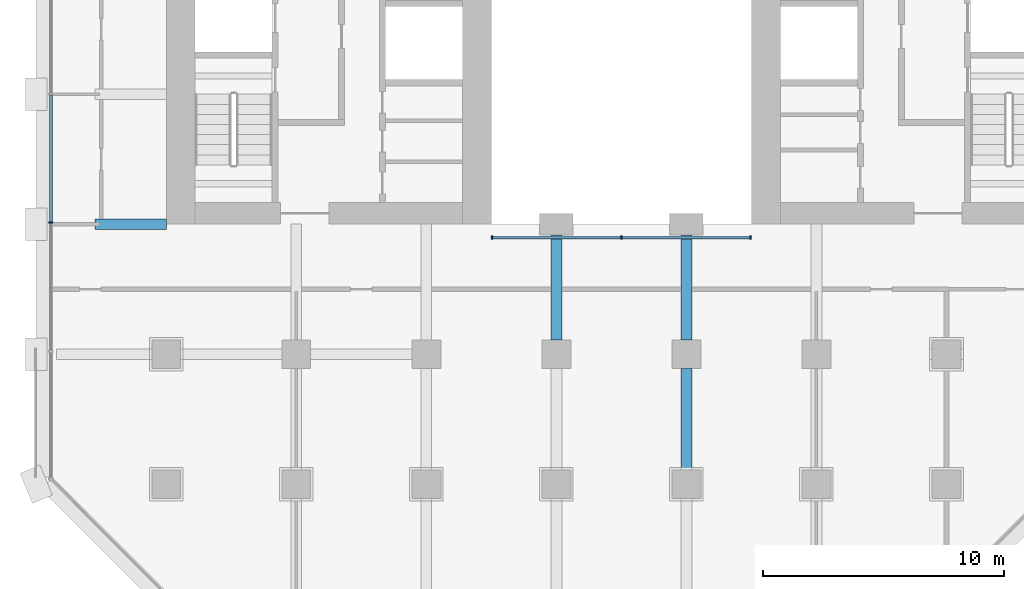
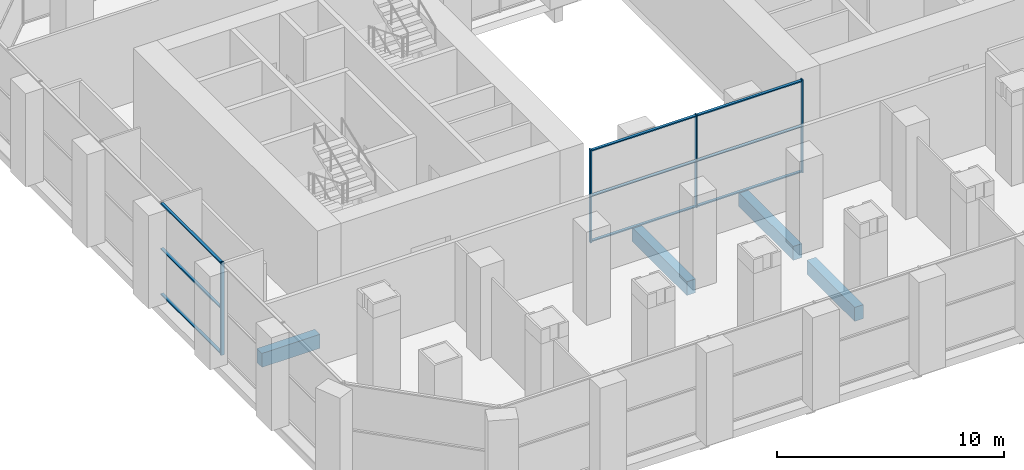
# One storey, part 4 of 27: 13 members, 4 beams, 2 elements without a shape of their own.
"""IFC4 building model written with IfcOpenShell, lengths in metres."""

from ifc_helpers import new_model, si_unit, direction, frame, origin, origin_2d, place, context, subcontext, project, spatial, rectangle, extrude, material, material_profile, profile_set, type_object, element, aggregate, save


model = new_model("IFC4")

# Units and contexts
model_context = context("Model", 3, precision=1e-05, world=origin(), true_north=direction((0.0, 1.0)))
body_context = subcontext(model_context, "Body", "Model", "MODEL_VIEW")
ifc_project = project(units=[si_unit("LENGTHUNIT", "METRE"), si_unit("AREAUNIT", "SQUARE_METRE"), si_unit("VOLUMEUNIT", "CUBIC_METRE"), si_unit("PLANEANGLEUNIT", "RADIAN"), si_unit("MASSUNIT", "GRAM", prefix="KILO")], contexts=[model_context])

# Site, building, storey
site_placement = place(None, origin())
site = spatial("IfcSite", under=ifc_project, at=site_placement, CompositionType="ELEMENT")
building_placement = place(site_placement, origin())
building = spatial("IfcBuilding", under=site, at=building_placement, Name="Tabaq Tower and Sports Hall", CompositionType="ELEMENT")
storey_placement = place(building_placement, frame((0.0, 0.0, 14.39990234375)))
storey = spatial("IfcBuildingStorey", under=building, at=storey_placement, Name="L02", CompositionType="ELEMENT", Elevation=14.39990234375)

# Curtain wall, members
ifc_material_1 = material(Name="Aluminium alloy 6063-T6 framed glazing", Category="aluminium")
curtain_wall_type_1 = type_object("IfcCurtainWallType", Name="CW1 curtain wall", PredefinedType="USERDEFINED", material=ifc_material_1)
curtain_wall_1_placement = place(storey_placement, origin())
curtain_wall_1 = element("IfcCurtainWall", 1, at=curtain_wall_1_placement, inside=storey, type_object=curtain_wall_type_1, Name="Atrium glazing L02 S", ObjectType="ATRIUM ENCLOSURE", PredefinedType="USERDEFINED")
ifc_material_2 = material(Name="Aluminium alloy 6063-T6", Category="aluminium")
ifc_material_profile_1 = material_profile(ifc_material_2, rectangle(XDim=0.159912109375, YDim=0.06005859375, at=origin_2d()), Name="MULLION 160x60")
ifc_profile_set_1 = profile_set([ifc_material_profile_1], Name="Aluminium alloy 6063-T6")
member_type_1 = type_object("IfcMemberType", Name="CW1 mullion 160x60", PredefinedType="MULLION", material=ifc_profile_set_1)
member_1_placement = place(storey_placement, frame((18.929931640625, 15.64990234375, 0.0), z_axis=(0.0, 0.0, 1.0), x_axis=(0.0, 1.0, 0.0)))
member_1 = element("IfcMember", 2, at=member_1_placement, type_object=member_type_1, Name="CW1 mullion 1", PredefinedType="MULLION", context=body_context, shape_type="SweptSolid", body=[
    extrude(rectangle(XDim=0.159912109375, YDim=0.06005859375, at=origin_2d()), origin(), (0.0, 0.0, 1.0), 5.0),
])
member_2_placement = place(storey_placement, frame((24.300048828125, 15.64990234375, 0.0), z_axis=(0.0, 0.0, 1.0), x_axis=(0.0, 1.0, 0.0)))
member_2 = element("IfcMember", 3, at=member_2_placement, type_object=member_type_1, Name="CW1 mullion 2", PredefinedType="MULLION", context=body_context, shape_type="SweptSolid", body=[
    extrude(rectangle(XDim=0.159912109375, YDim=0.06005859375, at=origin_2d()), origin(), (0.0, 0.0, 1.0), 5.0),
])
member_3_placement = place(storey_placement, frame((29.669921875, 15.64990234375, 0.0), z_axis=(0.0, 0.0, 1.0), x_axis=(0.0, 1.0, 0.0)))
member_3 = element("IfcMember", 4, at=member_3_placement, type_object=member_type_1, Name="CW1 mullion 3", PredefinedType="MULLION", context=body_context, shape_type="SweptSolid", body=[
    extrude(rectangle(XDim=0.159912109375, YDim=0.06005859375, at=origin_2d()), origin(), (0.0, 0.0, 1.0), 5.0),
])
ifc_material_3 = material(Name="Aluminium alloy 6063-T6", Category="aluminium")
ifc_material_profile_2 = material_profile(ifc_material_3, rectangle(XDim=0.139892578125, YDim=0.06005859375, at=origin_2d()), Name="TRANSOM 140x60")
ifc_profile_set_2 = profile_set([ifc_material_profile_2], Name="Aluminium alloy 6063-T6")
member_type_2 = type_object("IfcMemberType", Name="CW1 transom 140x60", PredefinedType="USERDEFINED", material=ifc_profile_set_2)
member_4_placement = place(storey_placement, frame((18.9599609375, 15.64990234375, 0.070068359375), z_axis=(1.0, 0.0, 0.0), x_axis=(0.0, 1.0, 0.0)))
member_4 = element("IfcMember", 5, at=member_4_placement, type_object=member_type_2, Name="CW1 transom 1.1", ObjectType="TRANSOM", PredefinedType="USERDEFINED", context=body_context, shape_type="SweptSolid", body=[
    extrude(rectangle(XDim=0.139892578125, YDim=0.06005859375, at=origin_2d()), origin(), (0.0, 0.0, 1.0), 5.31005859375),
])
member_5_placement = place(storey_placement, frame((18.9599609375, 15.64990234375, 2.5), z_axis=(1.0, 0.0, 0.0), x_axis=(0.0, 1.0, 0.0)))
member_5 = element("IfcMember", 6, at=member_5_placement, type_object=member_type_2, Name="CW1 transom 1.2", ObjectType="TRANSOM", PredefinedType="USERDEFINED", context=body_context, shape_type="SweptSolid", body=[
    extrude(rectangle(XDim=0.139892578125, YDim=0.06005859375, at=origin_2d()), origin(), (0.0, 0.0, 1.0), 5.31005859375),
])
member_6_placement = place(storey_placement, frame((18.9599609375, 15.64990234375, 4.93017578125), z_axis=(1.0, 0.0, 0.0), x_axis=(0.0, 1.0, 0.0)))
member_6 = element("IfcMember", 7, at=member_6_placement, type_object=member_type_2, Name="CW1 transom 1.3", ObjectType="TRANSOM", PredefinedType="USERDEFINED", context=body_context, shape_type="SweptSolid", body=[
    extrude(rectangle(XDim=0.139892578125, YDim=0.06005859375, at=origin_2d()), origin(), (0.0, 0.0, 1.0), 5.31005859375),
])
member_7_placement = place(storey_placement, frame((24.330078125, 15.64990234375, 0.070068359375), z_axis=(1.0, 0.0, 0.0), x_axis=(0.0, 1.0, 0.0)))
member_7 = element("IfcMember", 8, at=member_7_placement, type_object=member_type_2, Name="CW1 transom 2.1", ObjectType="TRANSOM", PredefinedType="USERDEFINED", context=body_context, shape_type="SweptSolid", body=[
    extrude(rectangle(XDim=0.139892578125, YDim=0.06005859375, at=origin_2d()), origin(), (0.0, 0.0, 1.0), 5.309814453125),
])
member_8_placement = place(storey_placement, frame((24.330078125, 15.64990234375, 2.5), z_axis=(1.0, 0.0, 0.0), x_axis=(0.0, 1.0, 0.0)))
member_8 = element("IfcMember", 9, at=member_8_placement, type_object=member_type_2, Name="CW1 transom 2.2", ObjectType="TRANSOM", PredefinedType="USERDEFINED", context=body_context, shape_type="SweptSolid", body=[
    extrude(rectangle(XDim=0.139892578125, YDim=0.06005859375, at=origin_2d()), origin(), (0.0, 0.0, 1.0), 5.309814453125),
])
member_9_placement = place(storey_placement, frame((24.330078125, 15.64990234375, 4.93017578125), z_axis=(1.0, 0.0, 0.0), x_axis=(0.0, 1.0, 0.0)))
member_9 = element("IfcMember", 10, at=member_9_placement, type_object=member_type_2, Name="CW1 transom 2.3", ObjectType="TRANSOM", PredefinedType="USERDEFINED", context=body_context, shape_type="SweptSolid", body=[
    extrude(rectangle(XDim=0.139892578125, YDim=0.06005859375, at=origin_2d()), origin(), (0.0, 0.0, 1.0), 5.309814453125),
])
aggregate(curtain_wall_1, [member_1, member_2, member_3, member_4, member_5, member_6, member_7, member_8, member_9])

ifc_material_4 = material(Name="Aluminium alloy 6063-T6 framed glazing", Category="aluminium")
curtain_wall_type_2 = type_object("IfcCurtainWallType", Name="CW7 curtain wall", PredefinedType="USERDEFINED", material=ifc_material_4)
curtain_wall_2_placement = place(storey_placement, origin())
curtain_wall_2 = element("IfcCurtainWall", 11, at=curtain_wall_2_placement, inside=storey, type_object=curtain_wall_type_2, Name="Podium Wall L02 W", ObjectType="PODIUM WALL", PredefinedType="USERDEFINED")
ifc_material_5 = material(Name="Aluminium alloy 6063-T6", Category="aluminium")
ifc_material_profile_3 = material_profile(ifc_material_5, rectangle(XDim=0.179931640625, YDim=0.06494140625, at=origin_2d()), Name="MULLION 180x65")
ifc_profile_set_3 = profile_set([ifc_material_profile_3], Name="Aluminium alloy 6063-T6")
member_type_3 = type_object("IfcMemberType", Name="CW7 mullion 180x65", PredefinedType="MULLION", material=ifc_profile_set_3)
member_10_placement = place(storey_placement, frame((0.60009765625, 16.26220703125, 0.0), z_axis=(0.0, 0.0, 1.0), x_axis=(1.0, 0.0, 0.0)))
member_10 = element("IfcMember", 12, at=member_10_placement, type_object=member_type_3, Name="CW7 mullion 5", PredefinedType="MULLION", context=body_context, shape_type="SweptSolid", body=[
    extrude(rectangle(XDim=0.179931640625, YDim=0.06494140625, at=origin_2d()), origin(), (0.0, 0.0, 1.0), 5.0),
])
ifc_material_6 = material(Name="Aluminium alloy 6063-T6", Category="aluminium")
ifc_material_profile_4 = material_profile(ifc_material_6, rectangle(XDim=0.139892578125, YDim=0.06494140625, at=origin_2d()), Name="TRANSOM 140x65")
ifc_profile_set_4 = profile_set([ifc_material_profile_4], Name="Aluminium alloy 6063-T6")
member_type_4 = type_object("IfcMemberType", Name="CW7 transom 140x65", PredefinedType="USERDEFINED", material=ifc_profile_set_4)
member_11_placement = place(storey_placement, frame((0.60009765625, 21.5673828125, 0.070068359375), z_axis=(0.0, -1.0, 0.0), x_axis=(1.0, 0.0, 0.0)))
member_11 = element("IfcMember", 13, at=member_11_placement, type_object=member_type_4, Name="CW7 transom 4.1", ObjectType="TRANSOM", PredefinedType="USERDEFINED", context=body_context, shape_type="SweptSolid", body=[
    extrude(rectangle(XDim=0.139892578125, YDim=0.06494140625, at=origin_2d()), origin(), (0.0, 0.0, 1.0), 5.272705078125),
])
member_12_placement = place(storey_placement, frame((0.60009765625, 21.5673828125, 2.5), z_axis=(0.0, -1.0, 0.0), x_axis=(1.0, 0.0, 0.0)))
member_12 = element("IfcMember", 14, at=member_12_placement, type_object=member_type_4, Name="CW7 transom 4.2", ObjectType="TRANSOM", PredefinedType="USERDEFINED", context=body_context, shape_type="SweptSolid", body=[
    extrude(rectangle(XDim=0.139892578125, YDim=0.06494140625, at=origin_2d()), origin(), (0.0, 0.0, 1.0), 5.272705078125),
])
member_13_placement = place(storey_placement, frame((0.60009765625, 21.5673828125, 4.93017578125), z_axis=(0.0, -1.0, 0.0), x_axis=(1.0, 0.0, 0.0)))
member_13 = element("IfcMember", 15, at=member_13_placement, type_object=member_type_4, Name="CW7 transom 4.3", ObjectType="TRANSOM", PredefinedType="USERDEFINED", context=body_context, shape_type="SweptSolid", body=[
    extrude(rectangle(XDim=0.139892578125, YDim=0.06494140625, at=origin_2d()), origin(), (0.0, 0.0, 1.0), 5.272705078125),
])
aggregate(curtain_wall_2, [member_10, member_11, member_12, member_13])

# Beams
ifc_material_7 = material(Name="Concrete C40/50", Category="concrete")
ifc_material_profile_5 = material_profile(ifc_material_7, rectangle(XDim=0.449951171875, YDim=0.75, at=origin_2d()), Name="CB 450x750")
ifc_profile_set_5 = profile_set([ifc_material_profile_5], Name="Concrete C40/50")
beam_type = type_object("IfcBeamType", Name="PT CANTILEVER BEAM CB 450x750 C40/50", PredefinedType="BEAM", material=ifc_profile_set_5)
beam_1_placement = place(storey_placement, frame((2.449951171875, 16.199951171875, -0.77490234375), z_axis=(1.0, 0.0, 0.0), x_axis=(0.0, 1.0, 0.0)))
element("IfcBeam", 16, at=beam_1_placement, inside=storey, type_object=beam_type, Name="Cantilever Beam L02 W3 span 1", PredefinedType="BEAM", context=body_context, shape_type="SweptSolid", body=[
    extrude(rectangle(XDim=0.449951171875, YDim=0.75, at=origin_2d()), origin(), (0.0, 0.0, 1.0), 2.949951171875),
])
beam_2_placement = place(storey_placement, frame((21.60009765625, 11.39990234375, -0.77490234375), z_axis=(0.0, 1.0, 0.0), x_axis=(-1.0, 0.0, 0.0)))
element("IfcBeam", 17, at=beam_2_placement, inside=storey, type_object=beam_type, Name="Cantilever Beam L02 S4 span 3", PredefinedType="BEAM", context=body_context, shape_type="SweptSolid", body=[
    extrude(rectangle(XDim=0.449951171875, YDim=0.75, at=origin_2d()), origin(), (0.0, 0.0, 1.0), 4.800048828125),
])
beam_3_placement = place(storey_placement, frame((27.0, 6.0, -0.77490234375), z_axis=(0.0, 1.0, 0.0), x_axis=(-1.0, 0.0, 0.0)))
element("IfcBeam", 18, at=beam_3_placement, inside=storey, type_object=beam_type, Name="Cantilever Beam L02 S5 span 2", PredefinedType="BEAM", context=body_context, shape_type="SweptSolid", body=[
    extrude(rectangle(XDim=0.449951171875, YDim=0.75, at=origin_2d()), origin(), (0.0, 0.0, 1.0), 4.199951171875),
])
beam_4_placement = place(storey_placement, frame((27.0, 11.39990234375, -0.77490234375), z_axis=(0.0, 1.0, 0.0), x_axis=(-1.0, 0.0, 0.0)))
element("IfcBeam", 19, at=beam_4_placement, inside=storey, type_object=beam_type, Name="Cantilever Beam L02 S5 span 3", PredefinedType="BEAM", context=body_context, shape_type="SweptSolid", body=[
    extrude(rectangle(XDim=0.449951171875, YDim=0.75, at=origin_2d()), origin(), (0.0, 0.0, 1.0), 4.800048828125),
])

save(model, "model.ifc")
